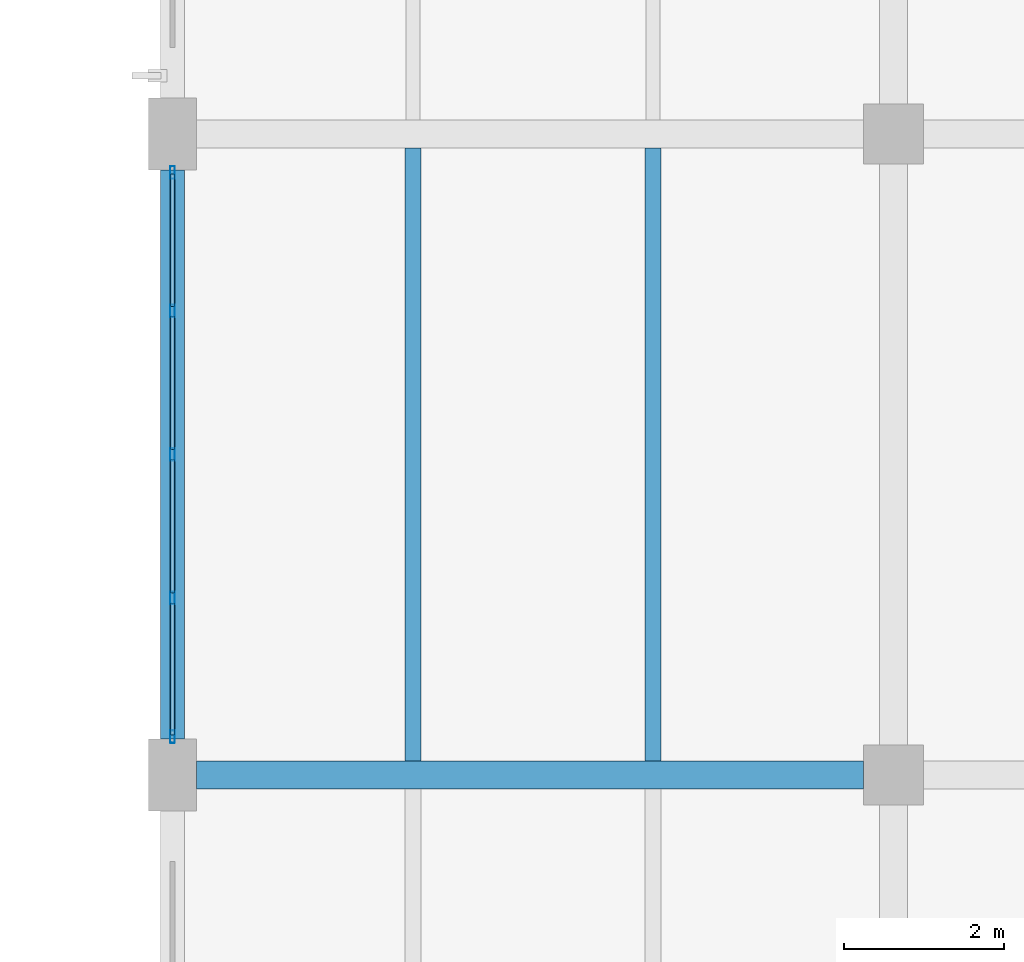
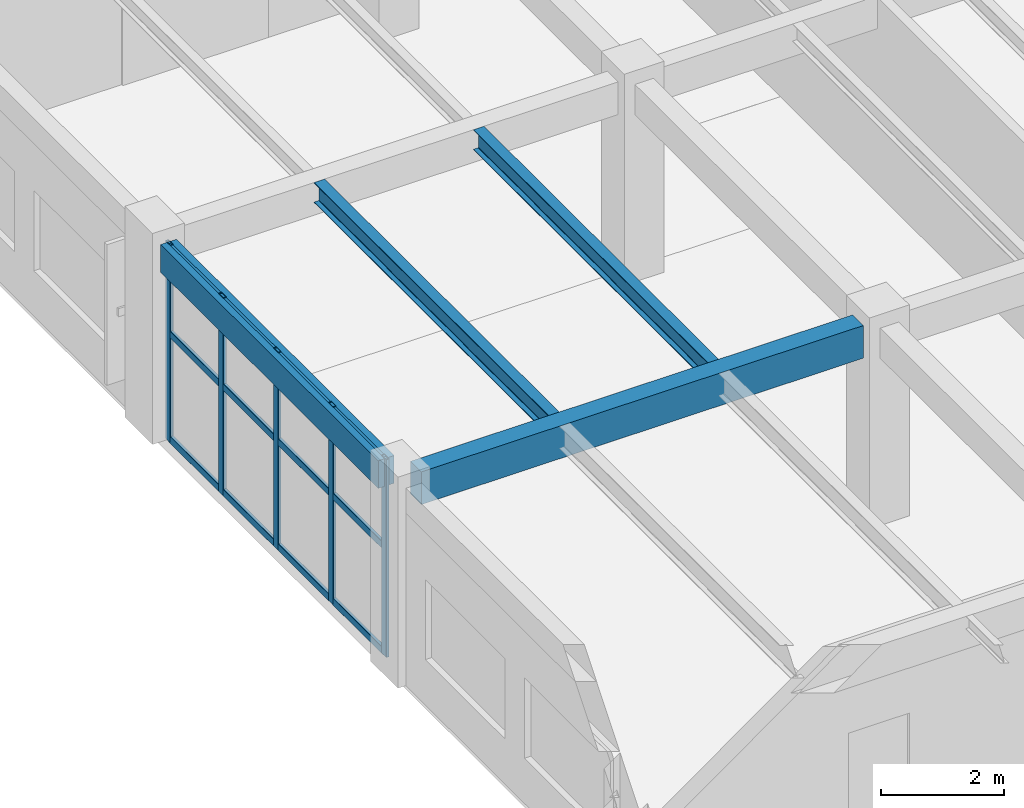
# One storey, part 77 of 128: 17 members, 4 beams, 1 element without a shape of its own.
"""IFC4 building model written with IfcOpenShell, lengths in metres."""

from ifc_helpers import new_model, si_unit, derived_unit, direction, frame, origin, origin_2d, place, context, subcontext, project, spatial, rectangle, hollow_rectangle, i_section, extrude, material, material_profile, profile_set, type_object, element, aggregate, save


model = new_model("IFC4")

# Units and contexts
model_context = context("Model", 3, precision=1e-05, world=origin(), true_north=direction((0.0, 1.0)))
body_context = subcontext(model_context, "Body", "Model", "MODEL_VIEW")
ifc_project = project(units=[si_unit("LENGTHUNIT", "METRE"), si_unit("AREAUNIT", "SQUARE_METRE"), si_unit("VOLUMEUNIT", "CUBIC_METRE"), si_unit("PLANEANGLEUNIT", "RADIAN"), si_unit("MASSUNIT", "GRAM", prefix="KILO"), derived_unit("THERMALTRANSMITTANCEUNIT", [(si_unit("MASSUNIT", "GRAM", prefix="KILO"), 1), (si_unit("TIMEUNIT", "SECOND"), -3), (si_unit("THERMODYNAMICTEMPERATUREUNIT", "KELVIN"), -1)])], contexts=[model_context])

# Site, building, storey
site_placement = place(None, origin())
site = spatial("IfcSite", under=ifc_project, at=site_placement, CompositionType="ELEMENT")
building_placement = place(site_placement, origin())
building = spatial("IfcBuilding", under=site, at=building_placement, Name="Zhenchuan Archway Interchange", CompositionType="ELEMENT")
storey_placement = place(building_placement, frame((0.0, 0.0, 14.39990234375)))
storey = spatial("IfcBuildingStorey", under=building, at=storey_placement, Name="L03", CompositionType="ELEMENT", Elevation=14.39990234375)

# Beam
ifc_material_1 = material(Name="Concrete C40", Category="concrete")
ifc_material_profile_1 = material_profile(ifc_material_1, rectangle(XDim=0.35009765625, YDim=0.64990234375, at=origin_2d()), Name="RC 350x650")
ifc_profile_set_1 = profile_set([ifc_material_profile_1], Name="Concrete C40")
beam_type_1 = type_object("IfcBeamType", Name="BM_RC_350x650", PredefinedType="BEAM", material=ifc_profile_set_1)
beam_1_placement = place(storey_placement, frame((144.300048828125, 32.0, 3.60498046875), z_axis=(1.0, 0.0, 0.0), x_axis=(0.0, 1.0, 0.0)))
element("IfcBeam", 1, at=beam_1_placement, inside=storey, type_object=beam_type_1, Name="Beam E:17-18 (L03)", PredefinedType="BEAM", context=body_context, shape_type="SweptSolid", body=[
    extrude(rectangle(XDim=0.35009765625, YDim=0.64990234375, at=origin_2d()), origin(), (0.0, 0.0, 1.0), 8.324951171875),
])

# Curtain wall, members
ifc_material_2 = material(Name="Anodised Aluminium", Category="aluminium")
curtain_wall_type = type_object("IfcCurtainWallType", Name="CW_UNIT_1", PredefinedType="NOTDEFINED", material=ifc_material_2)
curtain_wall_placement = place(storey_placement, origin())
curtain_wall = element("IfcCurtainWall", 2, at=curtain_wall_placement, inside=storey, type_object=curtain_wall_type, Name="Unitised curtain wall CW:L03:168", PredefinedType="NOTDEFINED")
ifc_material_profile_2 = material_profile(ifc_material_2, hollow_rectangle(XDim=0.06005859375, YDim=0.159912109375, WallThickness=0.00390625, InnerFilletRadius=0.00390625, OuterFilletRadius=0.008056640625, at=origin_2d()), Name="ALU 160x60x4")
ifc_profile_set_2 = profile_set([ifc_material_profile_2], Name="Anodised Aluminium")
member_type_1 = type_object("IfcMemberType", Name="CW_MUL_150", PredefinedType="MULLION", material=ifc_profile_set_2)
member_1_placement = place(storey_placement, frame((144.0, 32.47802734375, 0.0), z_axis=(0.0, 0.0, 1.0), x_axis=(1.0, 0.0, 0.0)))
member_1 = element("IfcMember", 3, at=member_1_placement, type_object=member_type_1, Name="CW:L03:168 mullion 0", PredefinedType="MULLION", context=body_context, shape_type="SweptSolid", body=[
    extrude(hollow_rectangle(XDim=0.06005859375, YDim=0.159912109375, WallThickness=0.00390625, InnerFilletRadius=0.00390625, OuterFilletRadius=0.008056640625, at=origin_2d()), origin(), (0.0, 0.0, 1.0), 3.940185546875),
])
member_2_placement = place(storey_placement, frame((144.0, 34.208984375, 0.0), z_axis=(0.0, 0.0, 1.0), x_axis=(1.0, 0.0, 0.0)))
member_2 = element("IfcMember", 4, at=member_2_placement, type_object=member_type_1, Name="CW:L03:168 mullion 1", PredefinedType="MULLION", context=body_context, shape_type="SweptSolid", body=[
    extrude(hollow_rectangle(XDim=0.06005859375, YDim=0.159912109375, WallThickness=0.00390625, InnerFilletRadius=0.00390625, OuterFilletRadius=0.008056640625, at=origin_2d()), origin(), (0.0, 0.0, 1.0), 3.940185546875),
])
member_3_placement = place(storey_placement, frame((144.0, 36.0, 0.0), z_axis=(0.0, 0.0, 1.0), x_axis=(1.0, 0.0, 0.0)))
member_3 = element("IfcMember", 5, at=member_3_placement, type_object=member_type_1, Name="CW:L03:168 mullion 2", PredefinedType="MULLION", context=body_context, shape_type="SweptSolid", body=[
    extrude(hollow_rectangle(XDim=0.06005859375, YDim=0.159912109375, WallThickness=0.00390625, InnerFilletRadius=0.00390625, OuterFilletRadius=0.008056640625, at=origin_2d()), origin(), (0.0, 0.0, 1.0), 3.940185546875),
])
member_4_placement = place(storey_placement, frame((144.0, 37.791015625, 0.0), z_axis=(0.0, 0.0, 1.0), x_axis=(1.0, 0.0, 0.0)))
member_4 = element("IfcMember", 6, at=member_4_placement, type_object=member_type_1, Name="CW:L03:168 mullion 3", PredefinedType="MULLION", context=body_context, shape_type="SweptSolid", body=[
    extrude(hollow_rectangle(XDim=0.06005859375, YDim=0.159912109375, WallThickness=0.00390625, InnerFilletRadius=0.00390625, OuterFilletRadius=0.008056640625, at=origin_2d()), origin(), (0.0, 0.0, 1.0), 3.940185546875),
])
member_5_placement = place(storey_placement, frame((144.0, 39.52197265625, 0.0), z_axis=(0.0, 0.0, 1.0), x_axis=(1.0, 0.0, 0.0)))
member_5 = element("IfcMember", 7, at=member_5_placement, type_object=member_type_1, Name="CW:L03:168 mullion 4", PredefinedType="MULLION", context=body_context, shape_type="SweptSolid", body=[
    extrude(hollow_rectangle(XDim=0.06005859375, YDim=0.159912109375, WallThickness=0.00390625, InnerFilletRadius=0.00390625, OuterFilletRadius=0.008056640625, at=origin_2d()), origin(), (0.0, 0.0, 1.0), 3.940185546875),
])
ifc_material_profile_3 = material_profile(ifc_material_2, hollow_rectangle(XDim=0.06005859375, YDim=0.139892578125, WallThickness=0.00341796875, InnerFilletRadius=0.00341796875, OuterFilletRadius=0.007080078125, at=origin_2d()), Name="ALU 140x60x3.5")
ifc_profile_set_3 = profile_set([ifc_material_profile_3], Name="Anodised Aluminium")
member_type_2 = type_object("IfcMemberType", Name="CW_TRN_140", PredefinedType="USERDEFINED", material=ifc_profile_set_3)
member_6_placement = place(storey_placement, frame((144.0, 32.498046875, 0.06005859375), z_axis=(0.0, 1.0, 0.0), x_axis=(-1.0, 0.0, 0.0)))
member_6 = element("IfcMember", 8, at=member_6_placement, type_object=member_type_2, Name="CW:L03:168 transom 0-1", ObjectType="TRANSOM", PredefinedType="USERDEFINED", context=body_context, shape_type="SweptSolid", body=[
    extrude(hollow_rectangle(XDim=0.06005859375, YDim=0.139892578125, WallThickness=0.00341796875, InnerFilletRadius=0.00341796875, OuterFilletRadius=0.007080078125, at=origin_2d()), origin(), (0.0, 0.0, 1.0), 1.65087890625),
])
member_7_placement = place(storey_placement, frame((144.0, 32.498046875, 2.156005859375), z_axis=(0.0, 1.0, 0.0), x_axis=(-1.0, 0.0, 0.0)))
member_7 = element("IfcMember", 9, at=member_7_placement, type_object=member_type_2, Name="CW:L03:168 transom 0-2", ObjectType="TRANSOM", PredefinedType="USERDEFINED", context=body_context, shape_type="SweptSolid", body=[
    extrude(hollow_rectangle(XDim=0.06005859375, YDim=0.139892578125, WallThickness=0.00341796875, InnerFilletRadius=0.00341796875, OuterFilletRadius=0.007080078125, at=origin_2d()), origin(), (0.0, 0.0, 1.0), 1.65087890625),
])
member_8_placement = place(storey_placement, frame((144.0, 32.498046875, 3.860107421875), z_axis=(0.0, 1.0, 0.0), x_axis=(-1.0, 0.0, 0.0)))
member_8 = element("IfcMember", 10, at=member_8_placement, type_object=member_type_2, Name="CW:L03:168 transom 0-3", ObjectType="TRANSOM", PredefinedType="USERDEFINED", context=body_context, shape_type="SweptSolid", body=[
    extrude(hollow_rectangle(XDim=0.06005859375, YDim=0.139892578125, WallThickness=0.00341796875, InnerFilletRadius=0.00341796875, OuterFilletRadius=0.007080078125, at=origin_2d()), origin(), (0.0, 0.0, 1.0), 1.65087890625),
])
member_9_placement = place(storey_placement, frame((144.0, 34.26904296875, 0.06005859375), z_axis=(0.0, 1.0, 0.0), x_axis=(-1.0, 0.0, 0.0)))
member_9 = element("IfcMember", 11, at=member_9_placement, type_object=member_type_2, Name="CW:L03:168 transom 1-1", ObjectType="TRANSOM", PredefinedType="USERDEFINED", context=body_context, shape_type="SweptSolid", body=[
    extrude(hollow_rectangle(XDim=0.06005859375, YDim=0.139892578125, WallThickness=0.00341796875, InnerFilletRadius=0.00341796875, OuterFilletRadius=0.007080078125, at=origin_2d()), origin(), (0.0, 0.0, 1.0), 1.6708984375),
])
member_10_placement = place(storey_placement, frame((144.0, 34.26904296875, 2.156005859375), z_axis=(0.0, 1.0, 0.0), x_axis=(-1.0, 0.0, 0.0)))
member_10 = element("IfcMember", 12, at=member_10_placement, type_object=member_type_2, Name="CW:L03:168 transom 1-2", ObjectType="TRANSOM", PredefinedType="USERDEFINED", context=body_context, shape_type="SweptSolid", body=[
    extrude(hollow_rectangle(XDim=0.06005859375, YDim=0.139892578125, WallThickness=0.00341796875, InnerFilletRadius=0.00341796875, OuterFilletRadius=0.007080078125, at=origin_2d()), origin(), (0.0, 0.0, 1.0), 1.6708984375),
])
member_11_placement = place(storey_placement, frame((144.0, 34.26904296875, 3.860107421875), z_axis=(0.0, 1.0, 0.0), x_axis=(-1.0, 0.0, 0.0)))
member_11 = element("IfcMember", 13, at=member_11_placement, type_object=member_type_2, Name="CW:L03:168 transom 1-3", ObjectType="TRANSOM", PredefinedType="USERDEFINED", context=body_context, shape_type="SweptSolid", body=[
    extrude(hollow_rectangle(XDim=0.06005859375, YDim=0.139892578125, WallThickness=0.00341796875, InnerFilletRadius=0.00341796875, OuterFilletRadius=0.007080078125, at=origin_2d()), origin(), (0.0, 0.0, 1.0), 1.6708984375),
])
member_12_placement = place(storey_placement, frame((144.0, 36.06005859375, 0.06005859375), z_axis=(0.0, 1.0, 0.0), x_axis=(-1.0, 0.0, 0.0)))
member_12 = element("IfcMember", 14, at=member_12_placement, type_object=member_type_2, Name="CW:L03:168 transom 2-1", ObjectType="TRANSOM", PredefinedType="USERDEFINED", context=body_context, shape_type="SweptSolid", body=[
    extrude(hollow_rectangle(XDim=0.06005859375, YDim=0.139892578125, WallThickness=0.00341796875, InnerFilletRadius=0.00341796875, OuterFilletRadius=0.007080078125, at=origin_2d()), origin(), (0.0, 0.0, 1.0), 1.6708984375),
])
member_13_placement = place(storey_placement, frame((144.0, 36.06005859375, 2.156005859375), z_axis=(0.0, 1.0, 0.0), x_axis=(-1.0, 0.0, 0.0)))
member_13 = element("IfcMember", 15, at=member_13_placement, type_object=member_type_2, Name="CW:L03:168 transom 2-2", ObjectType="TRANSOM", PredefinedType="USERDEFINED", context=body_context, shape_type="SweptSolid", body=[
    extrude(hollow_rectangle(XDim=0.06005859375, YDim=0.139892578125, WallThickness=0.00341796875, InnerFilletRadius=0.00341796875, OuterFilletRadius=0.007080078125, at=origin_2d()), origin(), (0.0, 0.0, 1.0), 1.6708984375),
])
member_14_placement = place(storey_placement, frame((144.0, 36.06005859375, 3.860107421875), z_axis=(0.0, 1.0, 0.0), x_axis=(-1.0, 0.0, 0.0)))
member_14 = element("IfcMember", 16, at=member_14_placement, type_object=member_type_2, Name="CW:L03:168 transom 2-3", ObjectType="TRANSOM", PredefinedType="USERDEFINED", context=body_context, shape_type="SweptSolid", body=[
    extrude(hollow_rectangle(XDim=0.06005859375, YDim=0.139892578125, WallThickness=0.00341796875, InnerFilletRadius=0.00341796875, OuterFilletRadius=0.007080078125, at=origin_2d()), origin(), (0.0, 0.0, 1.0), 1.6708984375),
])
member_15_placement = place(storey_placement, frame((144.0, 37.85107421875, 0.06005859375), z_axis=(0.0, 1.0, 0.0), x_axis=(-1.0, 0.0, 0.0)))
member_15 = element("IfcMember", 17, at=member_15_placement, type_object=member_type_2, Name="CW:L03:168 transom 3-1", ObjectType="TRANSOM", PredefinedType="USERDEFINED", context=body_context, shape_type="SweptSolid", body=[
    extrude(hollow_rectangle(XDim=0.06005859375, YDim=0.139892578125, WallThickness=0.00341796875, InnerFilletRadius=0.00341796875, OuterFilletRadius=0.007080078125, at=origin_2d()), origin(), (0.0, 0.0, 1.0), 1.65087890625),
])
member_16_placement = place(storey_placement, frame((144.0, 37.85107421875, 2.156005859375), z_axis=(0.0, 1.0, 0.0), x_axis=(-1.0, 0.0, 0.0)))
member_16 = element("IfcMember", 18, at=member_16_placement, type_object=member_type_2, Name="CW:L03:168 transom 3-2", ObjectType="TRANSOM", PredefinedType="USERDEFINED", context=body_context, shape_type="SweptSolid", body=[
    extrude(hollow_rectangle(XDim=0.06005859375, YDim=0.139892578125, WallThickness=0.00341796875, InnerFilletRadius=0.00341796875, OuterFilletRadius=0.007080078125, at=origin_2d()), origin(), (0.0, 0.0, 1.0), 1.65087890625),
])
member_17_placement = place(storey_placement, frame((144.0, 37.85107421875, 3.860107421875), z_axis=(0.0, 1.0, 0.0), x_axis=(-1.0, 0.0, 0.0)))
member_17 = element("IfcMember", 19, at=member_17_placement, type_object=member_type_2, Name="CW:L03:168 transom 3-3", ObjectType="TRANSOM", PredefinedType="USERDEFINED", context=body_context, shape_type="SweptSolid", body=[
    extrude(hollow_rectangle(XDim=0.06005859375, YDim=0.139892578125, WallThickness=0.00341796875, InnerFilletRadius=0.00341796875, OuterFilletRadius=0.007080078125, at=origin_2d()), origin(), (0.0, 0.0, 1.0), 1.65087890625),
])
aggregate(curtain_wall, [member_1, member_2, member_3, member_4, member_5, member_6, member_7, member_8, member_9, member_10, member_11, member_12, member_13, member_14, member_15, member_16, member_17])

# Beams
ifc_material_3 = material(Name="Steel Q355", Category="steel")
ifc_material_profile_4 = material_profile(ifc_material_3, i_section(OverallWidth=0.199951171875, OverallDepth=0.39990234375, WebThickness=0.008056640625, FlangeThickness=0.012939453125, FilletRadius=0.01611328125, at=origin_2d()), Name="HN 400x200")
ifc_profile_set_4 = profile_set([ifc_material_profile_4], Name="Steel Q355")
beam_type_2 = type_object("IfcBeamType", Name="JST_STL_HN400", PredefinedType="JOIST", material=ifc_profile_set_4)
for number, where, z_axis, x_axis, name in (
    (20, (147.0, 32.175048828125, 3.72998046875), (0.0, 1.0, 0.0), (-1.0, 0.0, 0.0), "Secondary joist 17-18/E-F #1 (L03)"),
    (21, (150.0, 32.175048828125, 3.72998046875), (0.0, 1.0, 0.0), (-1.0, 0.0, 0.0), "Secondary joist 17-18/E-F #2 (L03)"),
):
    element("IfcBeam", number, at=place(storey_placement, frame(where, z_axis=z_axis, x_axis=x_axis)), inside=storey, type_object=beam_type_2, Name=name, PredefinedType="JOIST", context=body_context, shape_type="SweptSolid", body=[
        extrude(i_section(OverallWidth=0.199951171875, OverallDepth=0.39990234375, WebThickness=0.008056640625, FlangeThickness=0.012939453125, FilletRadius=0.01611328125, at=origin_2d()), origin(), (0.0, 0.0, 1.0), 7.64990234375),
    ])
ifc_material_profile_5 = material_profile(ifc_material_1, rectangle(XDim=0.300048828125, YDim=0.550048828125, at=origin_2d()), Name="RC 300x550")
ifc_profile_set_5 = profile_set([ifc_material_profile_5], Name="Concrete C40")
beam_type_3 = type_object("IfcBeamType", Name="SP_RC_300x550", PredefinedType="SPANDREL", material=ifc_profile_set_5)
beam_2_placement = place(storey_placement, frame((144.0, 32.449951171875, 3.655029296875), z_axis=(0.0, 1.0, 0.0), x_axis=(-1.0, 0.0, 0.0)))
element("IfcBeam", 22, at=beam_2_placement, inside=storey, type_object=beam_type_3, Name="Beam 17:E-F (L03)", PredefinedType="SPANDREL", context=body_context, shape_type="SweptSolid", body=[
    extrude(rectangle(XDim=0.300048828125, YDim=0.550048828125, at=origin_2d()), origin(), (0.0, 0.0, 1.0), 7.10009765625),
])

save(model, "model.ifc")
